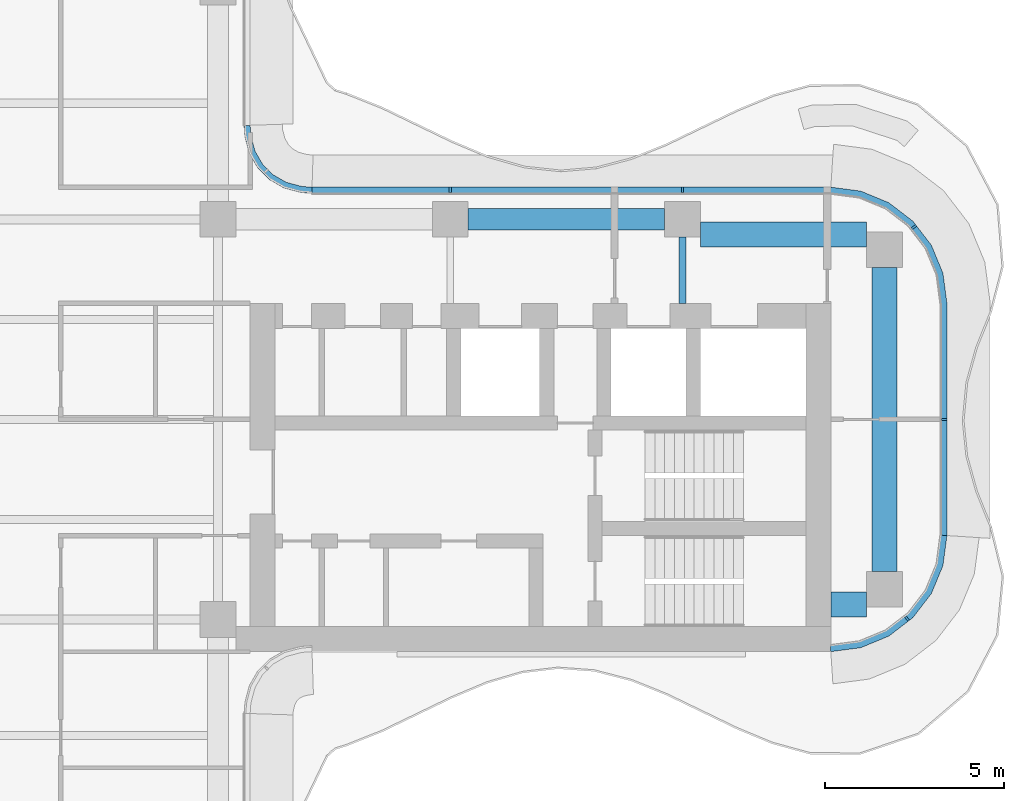
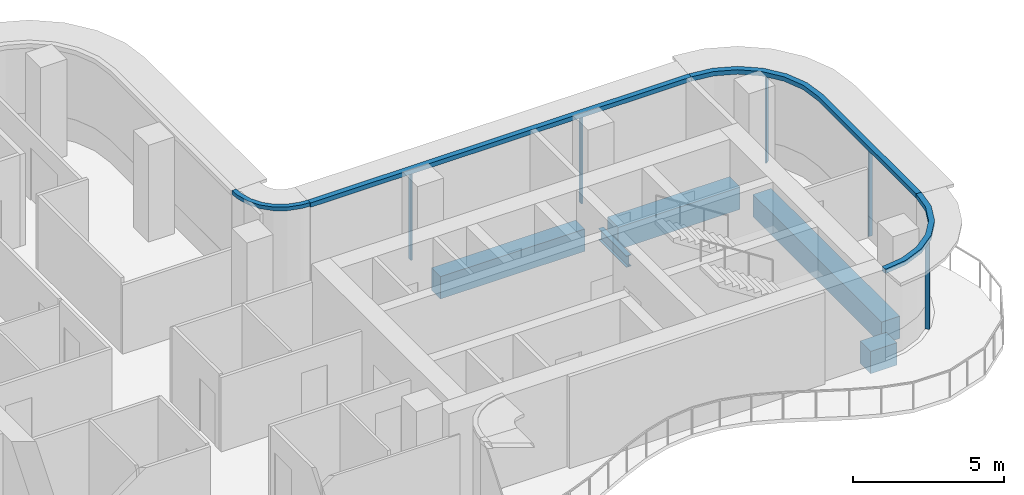
# One storey, part 6 of 16: 9 members, 5 beams, 4 elements without a shape of their own.
"""IFC4 building model written with IfcOpenShell, lengths in metres."""

from ifc_helpers import new_model, si_unit, direction, frame, origin, origin_2d, place, context, subcontext, project, spatial, polyline, rectangle, i_section, outline, extrude, source, transform, mapped, material, layer, layer_set, material_profile, profile_set, type_object, element, aggregate, save


model = new_model("IFC4")

# Units and contexts
model_context = context("Model", 3, precision=1e-05, world=origin(), true_north=direction((0.0, 1.0)))
body_context = subcontext(model_context, "Body", "Model", "MODEL_VIEW")
ifc_project = project(units=[si_unit("LENGTHUNIT", "METRE"), si_unit("AREAUNIT", "SQUARE_METRE"), si_unit("VOLUMEUNIT", "CUBIC_METRE"), si_unit("PLANEANGLEUNIT", "RADIAN"), si_unit("MASSUNIT", "GRAM", prefix="KILO")], contexts=[model_context])

# Site, building, storey
site_placement = place(None, origin())
site = spatial("IfcSite", under=ifc_project, at=site_placement, CompositionType="ELEMENT")
building_placement = place(site_placement, origin())
building = spatial("IfcBuilding", under=site, at=building_placement, Name="Trellis Farm Tower", CompositionType="ELEMENT")
storey_placement = place(building_placement, frame((0.0, 0.0, 302.800048828125)))
storey = spatial("IfcBuildingStorey", under=building, at=storey_placement, Name="L68", CompositionType="ELEMENT", Elevation=302.800048828125)

# Beams
ifc_material_1 = material(Name="Steel S355", Category="steel")
ifc_material_profile_1 = material_profile(ifc_material_1, i_section(OverallWidth=0.1904296875, OverallDepth=0.45703125, WebThickness=0.009033203125, FlangeThickness=0.014404296875, FilletRadius=0.01025390625, at=origin_2d()), Name="UB 457x191x74")
ifc_profile_set_1 = profile_set([ifc_material_profile_1], Name="Steel S355")
beam_type_1 = type_object("IfcBeamType", Name="UB 457x191x74", PredefinedType="BEAM", material=ifc_profile_set_1)
shared_shape_1 = source(origin(), body_context, "Body", "SweptSolid", [
    extrude(i_section(OverallWidth=0.1904296875, OverallDepth=0.45703125, WebThickness=0.009033203125, FlangeThickness=0.014404296875, FilletRadius=0.01025390625, at=origin_2d()), origin(), (0.0, 0.0, 1.0), 1.85009765625),
])
beam_1_placement = place(storey_placement, frame((18.60009765625, 3.25, -0.428466796875), z_axis=(0.0, 1.0, 0.0), x_axis=(-1.0, 0.0, 0.0)))
element("IfcBeam", 1, at=beam_1_placement, inside=storey, type_object=beam_type_1, Name="Girder", PredefinedType="BEAM", context=body_context, shape_type="MappedRepresentation", body=[
    mapped(shared_shape_1, transform((0.0, 0.0, 0.0))),
])
ifc_material_2 = material(Name="Concrete C60/75", Category="concrete")
ifc_material_profile_2 = material_profile(ifc_material_2, rectangle(XDim=0.60009765625, YDim=0.89990234375, at=origin_2d()), Name="RC spandrel beam 600x900 C60/75")
ifc_profile_set_2 = profile_set([ifc_material_profile_2], Name="Concrete C60/75")
beam_type_2 = type_object("IfcBeamType", Name="RC spandrel beam 600x900 C60/75", PredefinedType="SPANDREL", material=ifc_profile_set_2)
shared_shape_2 = source(origin(), body_context, "Body", "SweptSolid", [
    extrude(rectangle(XDim=0.60009765625, YDim=0.89990234375, at=origin_2d()), origin(), (0.0, 0.0, 1.0), 5.5),
])
beam_2_placement = place(storey_placement, frame((12.60009765625, 5.60009765625, -0.650146484375), z_axis=(1.0, 0.0, 0.0), x_axis=(0.0, 1.0, 0.0)))
element("IfcBeam", 2, at=beam_2_placement, inside=storey, type_object=beam_type_2, Name="Girder", PredefinedType="SPANDREL", context=body_context, shape_type="MappedRepresentation", body=[
    mapped(shared_shape_2, transform((0.0, 0.0, 0.0))),
])
ifc_material_profile_3 = material_profile(ifc_material_2, rectangle(XDim=0.699951171875, YDim=0.89990234375, at=origin_2d()), Name="RC spandrel beam 700x900 C60/75")
ifc_profile_set_3 = profile_set([ifc_material_profile_3], Name="Concrete C60/75")
beam_type_3 = type_object("IfcBeamType", Name="RC spandrel beam 700x900 C60/75", PredefinedType="SPANDREL", material=ifc_profile_set_3)
shared_shape_3 = source(origin(), body_context, "Body", "SweptSolid", [
    extrude(rectangle(XDim=0.699951171875, YDim=0.89990234375, at=origin_2d()), origin(), (0.0, 0.0, 1.0), 1.0),
])
beam_3_placement = place(storey_placement, frame((22.75, -5.175048828125, -0.650146484375), z_axis=(1.0, 0.0, 0.0), x_axis=(0.0, 1.0, 0.0)))
element("IfcBeam", 3, at=beam_3_placement, inside=storey, type_object=beam_type_3, Name="Girder", PredefinedType="SPANDREL", context=body_context, shape_type="MappedRepresentation", body=[
    mapped(shared_shape_3, transform((0.0, 0.0, 0.0))),
])
shared_shape_4 = source(origin(), body_context, "Body", "SweptSolid", [
    extrude(rectangle(XDim=0.699951171875, YDim=0.89990234375, at=origin_2d()), origin(), (0.0, 0.0, 1.0), 4.64990234375),
])
beam_4_placement = place(storey_placement, frame((19.10009765625, 5.175048828125, -0.650146484375), z_axis=(1.0, 0.0, 0.0), x_axis=(0.0, 1.0, 0.0)))
element("IfcBeam", 4, at=beam_4_placement, inside=storey, type_object=beam_type_3, Name="Girder", PredefinedType="SPANDREL", context=body_context, shape_type="MappedRepresentation", body=[
    mapped(shared_shape_4, transform((0.0, 0.0, 0.0))),
])
shared_shape_5 = source(origin(), body_context, "Body", "SweptSolid", [
    extrude(rectangle(XDim=0.699951171875, YDim=0.89990234375, at=origin_2d()), origin(), (0.0, 0.0, 1.0), 8.5),
])
beam_5_placement = place(storey_placement, frame((24.25, -4.25, -0.650146484375), z_axis=(0.0, 1.0, 0.0), x_axis=(-1.0, 0.0, 0.0)))
element("IfcBeam", 5, at=beam_5_placement, inside=storey, type_object=beam_type_3, Name="Girder", PredefinedType="SPANDREL", context=body_context, shape_type="MappedRepresentation", body=[
    mapped(shared_shape_5, transform((0.0, 0.0, 0.0))),
])

# Curtain wall, member
ifc_material_3 = material(Name="Aluminium and glass curtain wall", Category="aluminium")
ifc_layer_1 = layer(ifc_material_3, 0.166015625)
ifc_layer_set_1 = layer_set([ifc_layer_1], Name="WINTER GARDEN CURTAIN WALL CW3")
curtain_wall_type_1 = type_object("IfcCurtainWallType", Name="WINTER GARDEN CURTAIN WALL CW3", PredefinedType="NOTDEFINED", material=ifc_layer_set_1)
placement_1 = place(storey_placement, origin())
curtain_wall_1 = element("IfcCurtainWall", 6, at=placement_1, inside=storey, type_object=curtain_wall_type_1, Name="CW3 003", PredefinedType="NOTDEFINED")
ifc_material_4 = material(Name="Aluminium extrusion 6063-T6", Category="aluminium")
ifc_layer_2 = layer(ifc_material_4, 0.169921875)
ifc_layer_set_2 = layer_set([ifc_layer_2], Name="Aluminium extrusion 6063-T6")
member_type_1 = type_object("IfcMemberType", Name="CW3 TRANSOM 170x150", PredefinedType="USERDEFINED", material=ifc_layer_set_2)
shared_shape_6 = source(origin(), body_context, "Body", "SweptSolid", [
    extrude(outline(polyline([(8.2314453125, 6.5), (8.01953125, 6.513916015625), (7.91552734375, 6.527587890625), (7.508544921875, 6.63671875), (7.144287109375, 6.846923828125), (6.846923828125, 7.144287109375), (6.63671875, 7.508544921875), (6.527587890625, 7.91552734375), (6.513916015625, 8.01953125), (6.5, 8.2314453125), (6.330078125, 8.225830078125), (6.3447265625, 8.0029296875), (6.360595703125, 7.88232421875), (6.478271484375, 7.44287109375), (6.7109375, 7.0400390625), (7.0400390625, 6.7109375), (7.44287109375, 6.478271484375), (7.88232421875, 6.360595703125), (8.0029296875, 6.3447265625), (8.225830078125, 6.330078125), (8.2314453125, 6.5)])), origin(), (0.0, 0.0, 1.0), 0.14990234375),
])
member_1_placement = place(storey_placement, frame((0.0, 0.0, 3.550048828125)))
member_1 = element("IfcMember", 7, at=member_1_placement, type_object=member_type_1, Name="TR3 003", ObjectType="TRANSOM", PredefinedType="USERDEFINED", context=body_context, shape_type="MappedRepresentation", body=[
    mapped(shared_shape_6, transform((0.0, 0.0, 0.0))),
])
aggregate(curtain_wall_1, [member_1])

ifc_layer_3 = layer(ifc_material_3, 0.18994140625)
ifc_layer_set_3 = layer_set([ifc_layer_3], Name="RIBBON CURTAIN WALL CW1")
curtain_wall_type_2 = type_object("IfcCurtainWallType", Name="RIBBON CURTAIN WALL CW1", PredefinedType="NOTDEFINED", material=ifc_layer_set_3)
curtain_wall_2 = element("IfcCurtainWall", 8, at=placement_1, inside=storey, type_object=curtain_wall_type_2, Name="CW1 006", PredefinedType="NOTDEFINED")
ifc_material_profile_4 = material_profile(ifc_material_4, rectangle(XDim=0.06005859375, YDim=0.14990234375, at=origin_2d()), Name="MULLION 60x150")
ifc_profile_set_4 = profile_set([ifc_material_profile_4], Name="Aluminium extrusion 6063-T6")
member_type_2 = type_object("IfcMemberType", Name="CW1 MULLION 60x150", PredefinedType="MULLION", material=ifc_profile_set_4)
shared_shape_7 = source(origin(), body_context, "Body", "SweptSolid", [
    extrude(rectangle(XDim=0.06005859375, YDim=0.14990234375, at=origin_2d()), origin(), (0.0, 0.0, 1.0), 3.52001953125),
])
member_2_placement = place(storey_placement, frame((24.885498046875, -5.578369140625, 0.0), z_axis=(0.0, 0.0, 1.0), x_axis=(0.793353340291, 0.608761429009, 0.0)))
member_2 = element("IfcMember", 9, at=member_2_placement, type_object=member_type_2, Name="MU1 006-01", PredefinedType="MULLION", context=body_context, shape_type="MappedRepresentation", body=[
    mapped(shared_shape_7, transform((0.0, 0.0, 0.0))),
])

# Curtain wall, members
curtain_wall_3 = element("IfcCurtainWall", 10, at=placement_1, inside=storey, type_object=curtain_wall_type_2, Name="CW1 007", PredefinedType="NOTDEFINED")
member_3_placement = place(storey_placement, frame((25.925048828125, 0.0, 0.0), z_axis=(0.0, 0.0, 1.0), x_axis=(0.0, 1.0, 0.0)))
member_3 = element("IfcMember", 11, at=member_3_placement, type_object=member_type_2, Name="MU1 007-01", PredefinedType="MULLION", context=body_context, shape_type="MappedRepresentation", body=[
    mapped(shared_shape_7, transform((0.0, 0.0, 0.0))),
])
member_4_placement = place(storey_placement, frame((25.078369140625, 5.385498046875, 0.0), z_axis=(0.0, 0.0, 1.0), x_axis=(-0.608761429009, 0.793353340291, 0.0)))
member_4 = element("IfcMember", 12, at=member_4_placement, type_object=member_type_2, Name="MU1 007-02", PredefinedType="MULLION", context=body_context, shape_type="MappedRepresentation", body=[
    mapped(shared_shape_7, transform((0.0, 0.0, 0.0))),
])

curtain_wall_4 = element("IfcCurtainWall", 13, at=placement_1, inside=storey, type_object=curtain_wall_type_2, Name="CW1 008", PredefinedType="NOTDEFINED")
member_5_placement = place(storey_placement, frame((18.60009765625, 6.425048828125, 0.0), z_axis=(0.0, 0.0, 1.0), x_axis=(-1.0, 0.0, 0.0)))
member_5 = element("IfcMember", 14, at=member_5_placement, type_object=member_type_2, Name="MU1 008-01", PredefinedType="MULLION", context=body_context, shape_type="MappedRepresentation", body=[
    mapped(shared_shape_7, transform((0.0, 0.0, 0.0))),
])
member_6_placement = place(storey_placement, frame((12.10009765625, 6.425048828125, 0.0), z_axis=(0.0, 0.0, 1.0), x_axis=(-1.0, 0.0, 0.0)))
member_6 = element("IfcMember", 15, at=member_6_placement, type_object=member_type_2, Name="MU1 008-02", PredefinedType="MULLION", context=body_context, shape_type="MappedRepresentation", body=[
    mapped(shared_shape_7, transform((0.0, 0.0, 0.0))),
])

# Member
ifc_layer_4 = layer(ifc_material_4, 0.199951171875)
ifc_layer_set_4 = layer_set([ifc_layer_4], Name="Aluminium extrusion 6063-T6")
member_type_3 = type_object("IfcMemberType", Name="CW1 TRANSOM 200x180", PredefinedType="USERDEFINED", material=ifc_layer_set_4)
shared_shape_8 = source(origin(), body_context, "Body", "SweptSolid", [
    extrude(outline(polyline([(22.75, -6.5), (23.591064453125, -6.38916015625), (24.375, -6.064697265625), (25.048095703125, -5.548095703125), (25.564697265625, -4.875), (25.88916015625, -4.091064453125), (26.0, -3.25), (25.800048828125, -3.23681640625), (25.6943359375, -4.0390625), (25.389892578125, -4.774169921875), (24.905517578125, -5.405517578125), (24.274169921875, -5.889892578125), (23.5390625, -6.1943359375), (22.73681640625, -6.300048828125), (22.75, -6.5)])), origin(), (0.0, 0.0, 1.0), 0.179931640625),
])
placement_2 = place(storey_placement, frame((0.0, 0.0, 3.52001953125)))
member_7 = element("IfcMember", 16, at=placement_2, type_object=member_type_3, Name="TR1 006", ObjectType="TRANSOM", PredefinedType="USERDEFINED", context=body_context, shape_type="MappedRepresentation", body=[
    mapped(shared_shape_8, transform((0.0, 0.0, 0.0))),
])

aggregate(curtain_wall_2, [member_2, member_7])

shared_shape_9 = source(origin(), body_context, "Body", "SweptSolid", [
    extrude(outline(polyline([(22.75, 6.5), (8.2314453125, 6.5), (8.224853515625, 6.300048828125), (22.73681640625, 6.300048828125), (22.75, 6.5)])), origin(), (0.0, 0.0, 1.0), 0.179931640625),
])
member_8 = element("IfcMember", 17, at=placement_2, type_object=member_type_3, Name="TR1 008", ObjectType="TRANSOM", PredefinedType="USERDEFINED", context=body_context, shape_type="MappedRepresentation", body=[
    mapped(shared_shape_9, transform((0.0, 0.0, 0.0))),
])

aggregate(curtain_wall_4, [member_5, member_6, member_8])

shared_shape_10 = source(origin(), body_context, "Body", "SweptSolid", [
    extrude(outline(polyline([(26.0, -3.25), (26.0, 3.25), (25.88916015625, 4.091064453125), (25.564697265625, 4.875), (25.048095703125, 5.548095703125), (24.375, 6.064697265625), (23.591064453125, 6.38916015625), (22.75, 6.5), (22.73681640625, 6.300048828125), (23.5390625, 6.1943359375), (24.274169921875, 5.889892578125), (24.905517578125, 5.405517578125), (25.389892578125, 4.774169921875), (25.6943359375, 4.0390625), (25.800048828125, 3.23681640625), (25.800048828125, -3.23681640625), (26.0, -3.25)])), origin(), (0.0, 0.0, 1.0), 0.179931640625),
])
member_9 = element("IfcMember", 18, at=placement_2, type_object=member_type_3, Name="TR1 007", ObjectType="TRANSOM", PredefinedType="USERDEFINED", context=body_context, shape_type="MappedRepresentation", body=[
    mapped(shared_shape_10, transform((0.0, 0.0, 0.0))),
])

aggregate(curtain_wall_3, [member_3, member_4, member_9])

save(model, "model.ifc")
